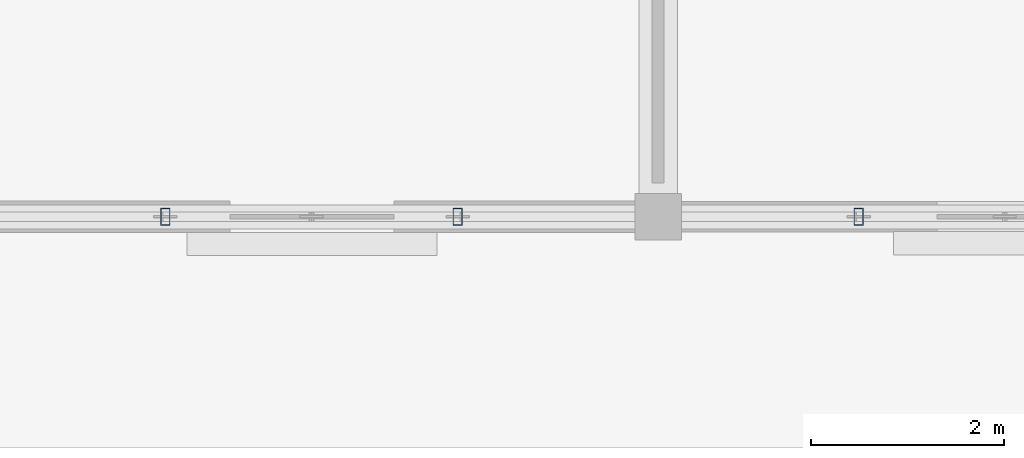
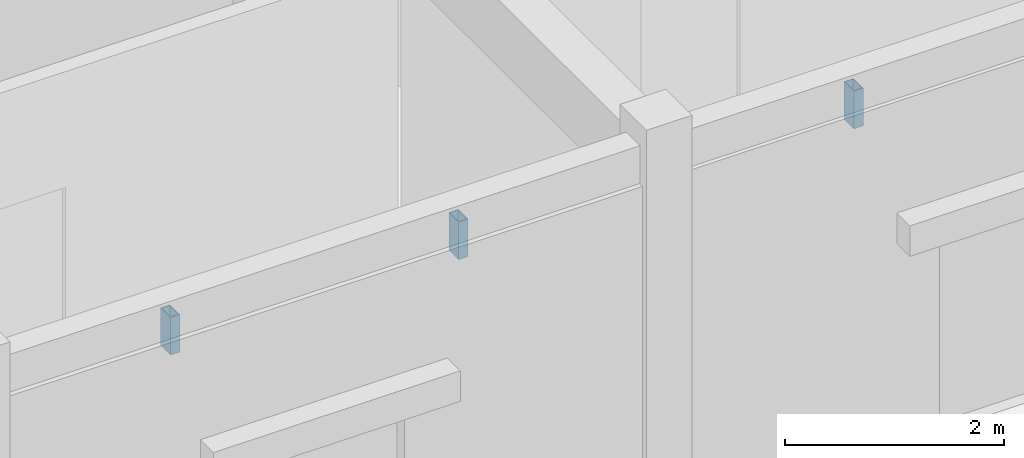
# One storey, part 39 of 138: 3 members.
"""IFC4 building model written with IfcOpenShell, lengths in metres."""

import ifcopenshell
import ifcopenshell.guid

model = None  # the IFC model being written
_history = None  # IfcOwnerHistory: only IFC2X3 demands one
_inside = {}  # id of a spatial element -> (the spatial element, [elements in it])
_under = {}  # id of a project, library or spatial element -> (it, [spatial elements below it])
_declared = {}  # id of a project -> (the project, [libraries it declares])
_typed = {}  # id of a type object -> (the type object, [elements of that type])
_made_of = {}  # id of a material, layer set ... -> (it, [elements and type objects made of it])


def new_model(schema):
    """Start an empty IFC model of exactly this schema.

    Asked for "IFC4X3", IfcOpenShell would pick the latest addendum, in which some entities
    have other attributes; the version numbers below select the first issue.
    IFC2X3 requires an IfcOwnerHistory on every rooted entity: one is made here for all.
    """
    global model, _history
    if schema == "IFC4X3":
        model = ifcopenshell.file(schema_version=(4, 3, 0, 0))
    else:
        model = ifcopenshell.file(schema=schema)
    _inside.clear()
    _under.clear()
    _declared.clear()
    _typed.clear()
    _made_of.clear()
    _history = None
    if model.schema == "IFC2X3":
        org = make("IfcOrganization", Name="unknown")
        user = make(
            "IfcPersonAndOrganization",
            ThePerson=make("IfcPerson", FamilyName="unknown"),
            TheOrganization=org,
        )
        app = make(
            "IfcApplication",
            ApplicationDeveloper=org,
            Version="unknown",
            ApplicationFullName="unknown",
            ApplicationIdentifier="unknown",
        )
        _history = make(
            "IfcOwnerHistory",
            OwningUser=user,
            OwningApplication=app,
            ChangeAction="ADDED",
            CreationDate=0,
        )
    return model


def make(cls, **values):
    """One entity of the class cls with the attributes given. An attribute that is None is left unset."""
    return model.create_entity(
        cls, **{name: value for name, value in values.items() if value is not None}
    )


def rooted(cls, **values):
    """An entity with a GlobalId (a new one), such as an element, a storey or a relation."""
    return make(cls, GlobalId=ifcopenshell.guid.new(), OwnerHistory=_history, **values)


def si_unit(unit_type, name, prefix=None):
    """IfcSIUnit, for example si_unit("LENGTHUNIT", "METRE", prefix="MILLI")."""
    return make("IfcSIUnit", UnitType=unit_type, Prefix=prefix, Name=name)


def assignment(units):
    """IfcUnitAssignment: the units of a project."""
    return None if units is None else make("IfcUnitAssignment", Units=units)


def point(xyz):
    """IfcCartesianPoint."""
    return None if xyz is None else make("IfcCartesianPoint", Coordinates=xyz)


def direction(xyz):
    """IfcDirection."""
    return None if xyz is None else make("IfcDirection", DirectionRatios=xyz)


def frame(location, z_axis=None, x_axis=None):
    """IfcAxis2Placement3D, a coordinate frame: its origin and axes. An axis left out is left unset."""
    return make(
        "IfcAxis2Placement3D",
        Location=point(location),
        Axis=direction(z_axis),
        RefDirection=direction(x_axis),
    )


def frame_2d(location, x_axis=None):
    """IfcAxis2Placement2D, a coordinate frame in the plane: its origin and x axis."""
    return make(
        "IfcAxis2Placement2D", Location=point(location), RefDirection=direction(x_axis)
    )


def origin():
    """The frame at (0, 0, 0) with its axes left unset."""
    return frame((0.0, 0.0, 0.0))


def origin_2d():
    """The frame at (0, 0) in the plane with its x axis left unset."""
    return frame_2d((0.0, 0.0))


def place(relative_to, where):
    """IfcLocalPlacement: puts the frame where relative to a parent placement (None: the world)."""
    return make(
        "IfcLocalPlacement", PlacementRelTo=relative_to, RelativePlacement=where
    )


def context(
    kind, dimensions, precision=None, world=None, true_north=None, identifier=None
):
    """IfcGeometricRepresentationContext, for example the 3D "Model" context."""
    return make(
        "IfcGeometricRepresentationContext",
        ContextIdentifier=identifier,
        ContextType=kind,
        CoordinateSpaceDimension=dimensions,
        Precision=precision,
        WorldCoordinateSystem=world,
        TrueNorth=true_north,
    )


def subcontext(parent, identifier, kind, view, scale=None):
    """IfcGeometricRepresentationSubContext, for example "Body" below "Model"."""
    return make(
        "IfcGeometricRepresentationSubContext",
        ContextIdentifier=identifier,
        ContextType=kind,
        ParentContext=parent,
        TargetScale=scale,
        TargetView=view,
    )


def project(units=None, contexts=None):
    """IfcProject with its units and contexts."""
    return rooted(
        "IfcProject",
        Name="project",
        RepresentationContexts=contexts,
        UnitsInContext=assignment(units),
    )


def spatial(cls, under=None, at=None, **own):
    """A site, building, storey or space (cls), placed at a placement, below another one or the project."""
    s = rooted(cls, ObjectPlacement=at, **own)
    if under is not None:
        _under.setdefault(under.id(), (under, []))[1].append(s)
    return s


def profile(cls, at=None, kind="AREA", **sizes):
    """A parametric profile (cls). Its sizes go by their IFC names, for example OverallWidth=200.0."""
    return make(cls, ProfileType=kind, Position=at, **sizes)


def hollow_rectangle(**sizes):
    """IfcRectangleHollowProfileDef."""
    return profile("IfcRectangleHollowProfileDef", **sizes)


def extrude(swept, where, along, depth):
    """IfcExtrudedAreaSolid: the profile swept, set in the frame where, extruded along a direction by depth."""
    return make(
        "IfcExtrudedAreaSolid",
        SweptArea=swept,
        Position=where,
        ExtrudedDirection=direction(along),
        Depth=depth,
    )


def shape(context_of_items, identifier, shape_type, items):
    """IfcShapeRepresentation: the items that make up one representation, for example the "Body"."""
    return make(
        "IfcShapeRepresentation",
        ContextOfItems=context_of_items,
        RepresentationIdentifier=identifier,
        RepresentationType=shape_type,
        Items=items,
    )


def material(Name=None, Category=None):
    """IfcMaterial."""
    return make("IfcMaterial", Name=Name, Category=Category)


def material_profile(
    of_material, cross_section, Name=None, Category=None, Priority=None
):
    """IfcMaterialProfile: a cross section and its material."""
    return make(
        "IfcMaterialProfile",
        Name=Name,
        Material=of_material,
        Profile=cross_section,
        Priority=Priority,
        Category=Category,
    )


def profile_set(profiles, Name=None, composite=None):
    """IfcMaterialProfileSet."""
    return make(
        "IfcMaterialProfileSet",
        Name=Name,
        MaterialProfiles=profiles,
        CompositeProfile=composite,
    )


def made_of(thing, what):
    """Note that an element or type object is made of a material, layer set ...; save() writes the relation."""
    if what is not None:
        _made_of.setdefault(what.id(), (what, []))[1].append(thing)
    return thing


def type_object(cls, material=None, **own):
    """A type object (cls), such as IfcWallType, which elements share."""
    return made_of(rooted(cls, **own), material)


def element(
    cls,
    number,
    at=None,
    inside=None,
    cuts=None,
    type_object=None,
    material=None,
    context=None,
    identifier="Body",
    shape_type=None,
    held_by="IfcProductDefinitionShape",
    body=None,
    shapes=None,
    **own,
):
    """One element of the class cls, such as IfcWall. Its Tag is "e" and its number.

    at: its placement. inside: the storey or other place that contains it. cuts: it is an
    opening in that element (IfcRelVoidsElement). A single representation is given by context,
    identifier, shape_type and body (its items); several are given by shapes. held_by: the class
    of the entity that holds the representations. save() writes the other relations.
    """
    e = rooted(cls, Tag="e%d" % number, ObjectPlacement=at, **own)
    if body is not None:
        shapes = [shape(context, identifier, shape_type, body)]
    if shapes is not None:
        e.Representation = make(held_by, Representations=shapes)
    if inside is not None:
        _inside.setdefault(inside.id(), (inside, []))[1].append(e)
    if cuts is not None:
        rooted(
            "IfcRelVoidsElement", RelatingBuildingElement=cuts, RelatedOpeningElement=e
        )
    if type_object is not None:
        _typed.setdefault(type_object.id(), (type_object, []))[1].append(e)
    return made_of(e, material)


def aggregate(whole, parts):
    """IfcRelAggregates: a whole, such as a stair, and the parts it consists of."""
    return rooted("IfcRelAggregates", RelatingObject=whole, RelatedObjects=parts)


def save(model, path):
    """Write the relations noted so far, then the file.

    IfcRelAggregates (storeys below a building ...), IfcRelContainedInSpatialStructure (elements
    in a storey), IfcRelDefinesByType, IfcRelAssociatesMaterial and IfcRelDeclares: one each for
    every whole, place, type object, material and project.
    """
    for whole, parts in _under.values():
        aggregate(whole, parts)
    for where, things in _inside.values():
        rooted(
            "IfcRelContainedInSpatialStructure",
            RelatedElements=things,
            RelatingStructure=where,
        )
    for kind, things in _typed.values():
        rooted("IfcRelDefinesByType", RelatedObjects=things, RelatingType=kind)
    for what, things in _made_of.values():
        rooted("IfcRelAssociatesMaterial", RelatedObjects=things, RelatingMaterial=what)
    for by, libraries in _declared.values():
        rooted("IfcRelDeclares", RelatingContext=by, RelatedDefinitions=libraries)
    model.write(path)


model = new_model("IFC4")

# Units and contexts
model_context = context("Model", 3, precision=1e-05, world=origin(), true_north=direction((0.0, 1.0)))
body_context = subcontext(model_context, "Body", "Model", "MODEL_VIEW")
ifc_project = project(units=[si_unit("LENGTHUNIT", "METRE"), si_unit("AREAUNIT", "SQUARE_METRE"), si_unit("VOLUMEUNIT", "CUBIC_METRE"), si_unit("PLANEANGLEUNIT", "RADIAN"), si_unit("MASSUNIT", "GRAM", prefix="KILO"), si_unit("THERMODYNAMICTEMPERATUREUNIT", "KELVIN"), si_unit("POWERUNIT", "WATT")], contexts=[model_context])

# Site, building, storey
site_placement = place(None, origin())
site = spatial("IfcSite", under=ifc_project, at=site_placement, CompositionType="ELEMENT")
building_placement = place(site_placement, origin())
building = spatial("IfcBuilding", under=site, at=building_placement, Name="Tavuni Mirador Residences", CompositionType="ELEMENT")
storey_placement = place(building_placement, origin())
storey = spatial("IfcBuildingStorey", under=building, at=storey_placement, Name="L00", CompositionType="ELEMENT", Elevation=0.0)

# Members
ifc_material = material(Name="Structural steel S355", Category="steel")
ifc_material_profile = material_profile(ifc_material, hollow_rectangle(XDim=0.10009765625, YDim=0.179931640625, WallThickness=0.008056640625, at=origin_2d()), Name="RHS 180x100x8.0", Category="steel")
ifc_profile_set = profile_set([ifc_material_profile], Name="Structural steel S355")
member_type = type_object("IfcMemberType", Name="MT-BR-RHS180", PredefinedType="BRACE", material=ifc_profile_set)
for number, where, z_axis, x_axis, name in (
    (1, (92.08203125, 43.199951171875, 3.6298828125), (0.0, 0.0, 1.0), (1.0, 0.0, 0.0), "ARCH-NURS-S-00-V1"),
    (2, (95.117919921875, 43.199951171875, 3.6298828125), (0.0, 0.0, 1.0), (1.0, 0.0, 0.0), "ARCH-NURS-S-00-V2"),
    (3, (99.281982421875, 43.199951171875, 3.6298828125), (0.0, 0.0, 1.0), (1.0, 0.0, 0.0), "ARCH-NURS-S-01-V1"),
):
    element("IfcMember", number, at=place(storey_placement, frame(where, z_axis=z_axis, x_axis=x_axis)), inside=storey, type_object=member_type, Name=name, PredefinedType="BRACE", context=body_context, shape_type="SweptSolid", body=[
        extrude(hollow_rectangle(XDim=0.10009765625, YDim=0.179931640625, WallThickness=0.008056640625, at=origin_2d()), origin(), (0.0, 0.0, 1.0), 0.420166015625),
    ])

save(model, "model.ifc")
